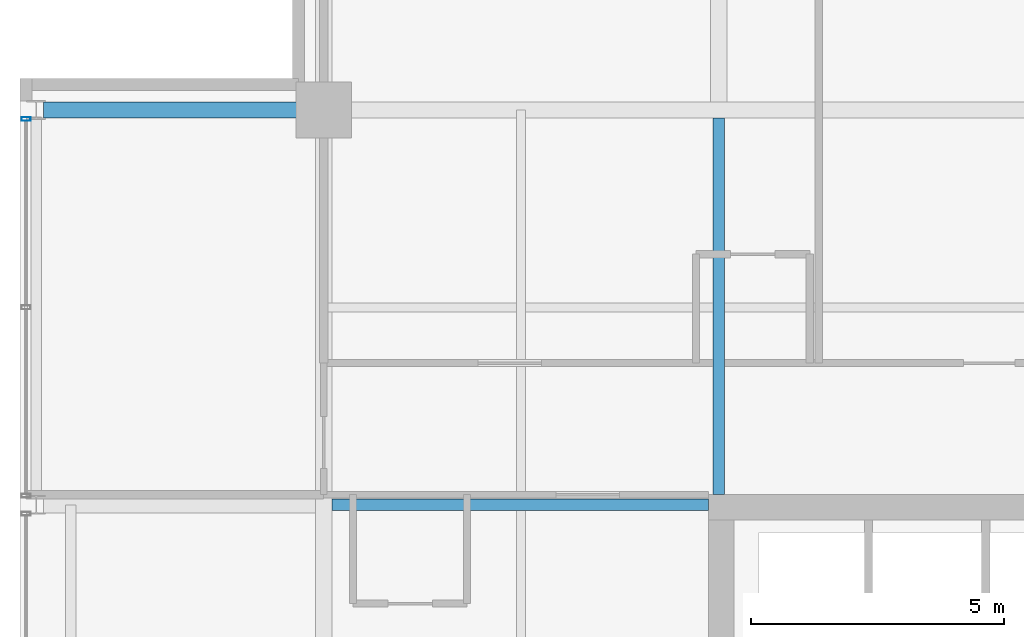
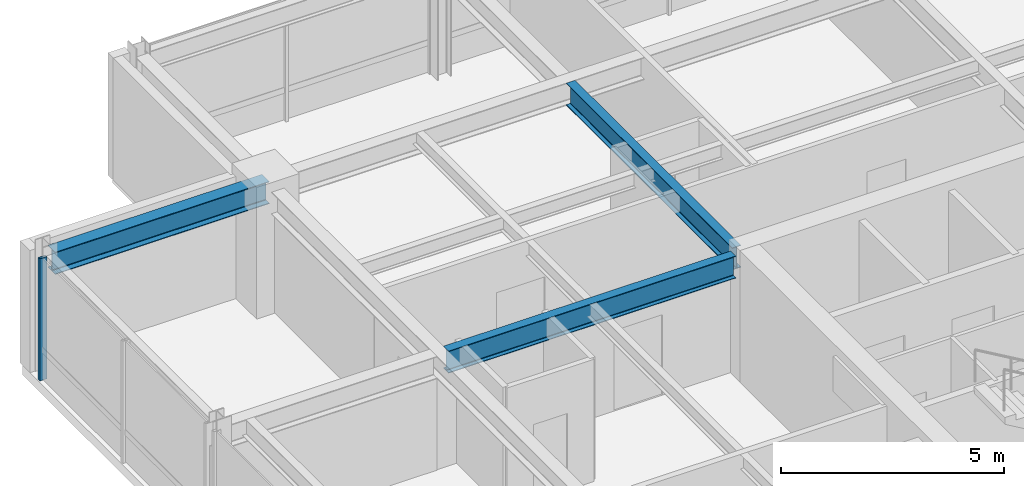
# One storey, part 19 of 33: 3 beams, 1 member, 1 element without a shape of its own.
"""IFC4 building model written with IfcOpenShell, lengths in metres."""

import ifcopenshell
import ifcopenshell.guid

model = None  # the IFC model being written
_history = None  # IfcOwnerHistory: only IFC2X3 demands one
_inside = {}  # id of a spatial element -> (the spatial element, [elements in it])
_under = {}  # id of a project, library or spatial element -> (it, [spatial elements below it])
_declared = {}  # id of a project -> (the project, [libraries it declares])
_typed = {}  # id of a type object -> (the type object, [elements of that type])
_made_of = {}  # id of a material, layer set ... -> (it, [elements and type objects made of it])


def new_model(schema):
    """Start an empty IFC model of exactly this schema.

    Asked for "IFC4X3", IfcOpenShell would pick the latest addendum, in which some entities
    have other attributes; the version numbers below select the first issue.
    IFC2X3 requires an IfcOwnerHistory on every rooted entity: one is made here for all.
    """
    global model, _history
    if schema == "IFC4X3":
        model = ifcopenshell.file(schema_version=(4, 3, 0, 0))
    else:
        model = ifcopenshell.file(schema=schema)
    _inside.clear()
    _under.clear()
    _declared.clear()
    _typed.clear()
    _made_of.clear()
    _history = None
    if model.schema == "IFC2X3":
        org = make("IfcOrganization", Name="unknown")
        user = make(
            "IfcPersonAndOrganization",
            ThePerson=make("IfcPerson", FamilyName="unknown"),
            TheOrganization=org,
        )
        app = make(
            "IfcApplication",
            ApplicationDeveloper=org,
            Version="unknown",
            ApplicationFullName="unknown",
            ApplicationIdentifier="unknown",
        )
        _history = make(
            "IfcOwnerHistory",
            OwningUser=user,
            OwningApplication=app,
            ChangeAction="ADDED",
            CreationDate=0,
        )
    return model


def make(cls, **values):
    """One entity of the class cls with the attributes given. An attribute that is None is left unset."""
    return model.create_entity(
        cls, **{name: value for name, value in values.items() if value is not None}
    )


def rooted(cls, **values):
    """An entity with a GlobalId (a new one), such as an element, a storey or a relation."""
    return make(cls, GlobalId=ifcopenshell.guid.new(), OwnerHistory=_history, **values)


def si_unit(unit_type, name, prefix=None):
    """IfcSIUnit, for example si_unit("LENGTHUNIT", "METRE", prefix="MILLI")."""
    return make("IfcSIUnit", UnitType=unit_type, Prefix=prefix, Name=name)


def assignment(units):
    """IfcUnitAssignment: the units of a project."""
    return None if units is None else make("IfcUnitAssignment", Units=units)


def point(xyz):
    """IfcCartesianPoint."""
    return None if xyz is None else make("IfcCartesianPoint", Coordinates=xyz)


def direction(xyz):
    """IfcDirection."""
    return None if xyz is None else make("IfcDirection", DirectionRatios=xyz)


def frame(location, z_axis=None, x_axis=None):
    """IfcAxis2Placement3D, a coordinate frame: its origin and axes. An axis left out is left unset."""
    return make(
        "IfcAxis2Placement3D",
        Location=point(location),
        Axis=direction(z_axis),
        RefDirection=direction(x_axis),
    )


def frame_2d(location, x_axis=None):
    """IfcAxis2Placement2D, a coordinate frame in the plane: its origin and x axis."""
    return make(
        "IfcAxis2Placement2D", Location=point(location), RefDirection=direction(x_axis)
    )


def origin():
    """The frame at (0, 0, 0) with its axes left unset."""
    return frame((0.0, 0.0, 0.0))


def origin_2d():
    """The frame at (0, 0) in the plane with its x axis left unset."""
    return frame_2d((0.0, 0.0))


def place(relative_to, where):
    """IfcLocalPlacement: puts the frame where relative to a parent placement (None: the world)."""
    return make(
        "IfcLocalPlacement", PlacementRelTo=relative_to, RelativePlacement=where
    )


def context(
    kind, dimensions, precision=None, world=None, true_north=None, identifier=None
):
    """IfcGeometricRepresentationContext, for example the 3D "Model" context."""
    return make(
        "IfcGeometricRepresentationContext",
        ContextIdentifier=identifier,
        ContextType=kind,
        CoordinateSpaceDimension=dimensions,
        Precision=precision,
        WorldCoordinateSystem=world,
        TrueNorth=true_north,
    )


def subcontext(parent, identifier, kind, view, scale=None):
    """IfcGeometricRepresentationSubContext, for example "Body" below "Model"."""
    return make(
        "IfcGeometricRepresentationSubContext",
        ContextIdentifier=identifier,
        ContextType=kind,
        ParentContext=parent,
        TargetScale=scale,
        TargetView=view,
    )


def project(units=None, contexts=None):
    """IfcProject with its units and contexts."""
    return rooted(
        "IfcProject",
        Name="project",
        RepresentationContexts=contexts,
        UnitsInContext=assignment(units),
    )


def spatial(cls, under=None, at=None, **own):
    """A site, building, storey or space (cls), placed at a placement, below another one or the project."""
    s = rooted(cls, ObjectPlacement=at, **own)
    if under is not None:
        _under.setdefault(under.id(), (under, []))[1].append(s)
    return s


def profile(cls, at=None, kind="AREA", **sizes):
    """A parametric profile (cls). Its sizes go by their IFC names, for example OverallWidth=200.0."""
    return make(cls, ProfileType=kind, Position=at, **sizes)


def hollow_rectangle(**sizes):
    """IfcRectangleHollowProfileDef."""
    return profile("IfcRectangleHollowProfileDef", **sizes)


def i_section(**sizes):
    """IfcIShapeProfileDef."""
    return profile("IfcIShapeProfileDef", **sizes)


def extrude(swept, where, along, depth):
    """IfcExtrudedAreaSolid: the profile swept, set in the frame where, extruded along a direction by depth."""
    return make(
        "IfcExtrudedAreaSolid",
        SweptArea=swept,
        Position=where,
        ExtrudedDirection=direction(along),
        Depth=depth,
    )


def shape(context_of_items, identifier, shape_type, items):
    """IfcShapeRepresentation: the items that make up one representation, for example the "Body"."""
    return make(
        "IfcShapeRepresentation",
        ContextOfItems=context_of_items,
        RepresentationIdentifier=identifier,
        RepresentationType=shape_type,
        Items=items,
    )


def material(Name=None, Category=None):
    """IfcMaterial."""
    return make("IfcMaterial", Name=Name, Category=Category)


def layer(
    of_material, thickness, ventilated=None, Name=None, Category=None, Priority=None
):
    """IfcMaterialLayer: one layer of a wall or slab, of a material (None: an air gap)."""
    return make(
        "IfcMaterialLayer",
        Material=of_material,
        LayerThickness=thickness,
        IsVentilated=ventilated,
        Name=Name,
        Category=Category,
        Priority=Priority,
    )


def layer_set(layers, Name=None):
    """IfcMaterialLayerSet."""
    return make("IfcMaterialLayerSet", MaterialLayers=layers, LayerSetName=Name)


def material_profile(
    of_material, cross_section, Name=None, Category=None, Priority=None
):
    """IfcMaterialProfile: a cross section and its material."""
    return make(
        "IfcMaterialProfile",
        Name=Name,
        Material=of_material,
        Profile=cross_section,
        Priority=Priority,
        Category=Category,
    )


def profile_set(profiles, Name=None, composite=None):
    """IfcMaterialProfileSet."""
    return make(
        "IfcMaterialProfileSet",
        Name=Name,
        MaterialProfiles=profiles,
        CompositeProfile=composite,
    )


def made_of(thing, what):
    """Note that an element or type object is made of a material, layer set ...; save() writes the relation."""
    if what is not None:
        _made_of.setdefault(what.id(), (what, []))[1].append(thing)
    return thing


def type_object(cls, material=None, **own):
    """A type object (cls), such as IfcWallType, which elements share."""
    return made_of(rooted(cls, **own), material)


def element(
    cls,
    number,
    at=None,
    inside=None,
    cuts=None,
    type_object=None,
    material=None,
    context=None,
    identifier="Body",
    shape_type=None,
    held_by="IfcProductDefinitionShape",
    body=None,
    shapes=None,
    **own,
):
    """One element of the class cls, such as IfcWall. Its Tag is "e" and its number.

    at: its placement. inside: the storey or other place that contains it. cuts: it is an
    opening in that element (IfcRelVoidsElement). A single representation is given by context,
    identifier, shape_type and body (its items); several are given by shapes. held_by: the class
    of the entity that holds the representations. save() writes the other relations.
    """
    e = rooted(cls, Tag="e%d" % number, ObjectPlacement=at, **own)
    if body is not None:
        shapes = [shape(context, identifier, shape_type, body)]
    if shapes is not None:
        e.Representation = make(held_by, Representations=shapes)
    if inside is not None:
        _inside.setdefault(inside.id(), (inside, []))[1].append(e)
    if cuts is not None:
        rooted(
            "IfcRelVoidsElement", RelatingBuildingElement=cuts, RelatedOpeningElement=e
        )
    if type_object is not None:
        _typed.setdefault(type_object.id(), (type_object, []))[1].append(e)
    return made_of(e, material)


def aggregate(whole, parts):
    """IfcRelAggregates: a whole, such as a stair, and the parts it consists of."""
    return rooted("IfcRelAggregates", RelatingObject=whole, RelatedObjects=parts)


def save(model, path):
    """Write the relations noted so far, then the file.

    IfcRelAggregates (storeys below a building ...), IfcRelContainedInSpatialStructure (elements
    in a storey), IfcRelDefinesByType, IfcRelAssociatesMaterial and IfcRelDeclares: one each for
    every whole, place, type object, material and project.
    """
    for whole, parts in _under.values():
        aggregate(whole, parts)
    for where, things in _inside.values():
        rooted(
            "IfcRelContainedInSpatialStructure",
            RelatedElements=things,
            RelatingStructure=where,
        )
    for kind, things in _typed.values():
        rooted("IfcRelDefinesByType", RelatedObjects=things, RelatingType=kind)
    for what, things in _made_of.values():
        rooted("IfcRelAssociatesMaterial", RelatedObjects=things, RelatingMaterial=what)
    for by, libraries in _declared.values():
        rooted("IfcRelDeclares", RelatingContext=by, RelatedDefinitions=libraries)
    model.write(path)


model = new_model("IFC4")

# Units and contexts
model_context = context("Model", 3, precision=1e-05, world=origin(), true_north=direction((0.0, 1.0)))
body_context = subcontext(model_context, "Body", "Model", "MODEL_VIEW")
ifc_project = project(units=[si_unit("LENGTHUNIT", "METRE"), si_unit("AREAUNIT", "SQUARE_METRE"), si_unit("VOLUMEUNIT", "CUBIC_METRE"), si_unit("PLANEANGLEUNIT", "RADIAN"), si_unit("MASSUNIT", "GRAM", prefix="KILO")], contexts=[model_context])

# Site, building, storey
site_placement = place(None, origin())
site = spatial("IfcSite", under=ifc_project, at=site_placement, CompositionType="ELEMENT")
building_placement = place(site_placement, origin())
building = spatial("IfcBuilding", under=site, at=building_placement, Name="Drelvath Grand Hotel", CompositionType="ELEMENT")
storey_placement = place(building_placement, frame((0.0, 0.0, 248.300048828125)))
storey = spatial("IfcBuildingStorey", under=building, at=storey_placement, Name="L65", CompositionType="ELEMENT", Elevation=248.300048828125)

# Curtain wall, member
ifc_material_1 = material(Name="Platinum-Mist Anodised Aluminium Frame", Category="aluminium")
ifc_layer = layer(ifc_material_1, 0.199951171875)
ifc_layer_set = layer_set([ifc_layer], Name="Platinum-Mist Anodised Aluminium Frame")
curtain_wall_type = type_object("IfcCurtainWallType", Name="Stick Curtain Wall CW-05 Platinum Mist High-Rise", PredefinedType="NOTDEFINED", material=ifc_layer_set)
curtain_wall_placement = place(storey_placement, origin())
curtain_wall = element("IfcCurtainWall", 1, at=curtain_wall_placement, inside=storey, type_object=curtain_wall_type, Name="L65 CW-05 Curtain Wall CW05-L65-WN2", PredefinedType="NOTDEFINED")
ifc_material_profile_1 = material_profile(ifc_material_1, hollow_rectangle(XDim=0.074951171875, YDim=0.179931640625, WallThickness=0.0048828125, at=origin_2d()), Name="HSS180X75X5")
ifc_profile_set_1 = profile_set([ifc_material_profile_1], Name="Platinum-Mist Anodised Aluminium Frame")
member_type = type_object("IfcMemberType", Name="Curtain Wall Vertical Mullion CW-05 HSS180X75X5", PredefinedType="MULLION", material=ifc_profile_set_1)
member_placement = place(storey_placement, frame((-22.080078125, 43.021728515625, 0.0), z_axis=(0.0, 0.0, 1.0), x_axis=(0.0, 1.0, 0.0)))
member = element("IfcMember", 2, at=member_placement, type_object=member_type, Name="CW05-L65-WN2 Mullion 3", PredefinedType="MULLION", context=body_context, shape_type="SweptSolid", body=[
    extrude(hollow_rectangle(XDim=0.074951171875, YDim=0.179931640625, WallThickness=0.0048828125, at=origin_2d()), origin(), (0.0, 0.0, 1.0), 3.33984375),
])
aggregate(curtain_wall, [member])

# Beams
ifc_material_2 = material(Name="Steel ASTM A992 Gr 50", Category="steel")
ifc_material_profile_2 = material_profile(ifc_material_2, i_section(OverallWidth=0.323974609375, OverallDepth=0.611083984375, WebThickness=0.0126953125, FlangeThickness=0.01904296875, FilletRadius=0.02197265625, at=origin_2d()), Name="W24X104")
ifc_profile_set_2 = profile_set([ifc_material_profile_2], Name="Steel ASTM A992 Gr 50")
beam_type_1 = type_object("IfcBeamType", Name="Primary Floor Girder W24X104", PredefinedType="BEAM", material=ifc_profile_set_2)
beam_placement = place(storey_placement, frame((-21.739990234375, 43.199951171875, 3.034423828125), z_axis=(1.0, 0.0, 0.0), x_axis=(0.0, 1.0, 0.0)))
element("IfcBeam", 3, at=beam_placement, inside=storey, type_object=beam_type_1, Name="L65 West Grid Girder G", PredefinedType="BEAM", context=body_context, shape_type="SweptSolid", body=[
    extrude(i_section(OverallWidth=0.323974609375, OverallDepth=0.611083984375, WebThickness=0.0126953125, FlangeThickness=0.01904296875, FilletRadius=0.02197265625, at=origin_2d()), origin(), (0.0, 0.0, 1.0), 5.5400390625),
])
ifc_material_profile_3 = material_profile(ifc_material_2, i_section(OverallWidth=0.228271484375, OverallDepth=0.607666015625, WebThickness=0.01123046875, FlangeThickness=0.017333984375, FilletRadius=0.02001953125, at=origin_2d()), Name="W24X76")
ifc_profile_set_3 = profile_set([ifc_material_profile_3], Name="Steel ASTM A992 Gr 50")
beam_type_2 = type_object("IfcBeamType", Name="Primary Floor Girder W24X76", PredefinedType="BEAM", material=ifc_profile_set_3)
for number, where, z_axis, x_axis, name in (
    (4, (-16.0380859375, 35.39990234375, 3.0361328125), (1.0, 0.0, 0.0), (0.0, 1.0, 0.0), "L65 West Core Tie F"),
    (5, (-8.39990234375, 35.60009765625, 3.0361328125), (0.0, 1.0, 0.0), (-1.0, 0.0, 0.0), "L65 North Core Tie 4"),
):
    element("IfcBeam", number, at=place(storey_placement, frame(where, z_axis=z_axis, x_axis=x_axis)), inside=storey, type_object=beam_type_2, Name=name, PredefinedType="BEAM", context=body_context, shape_type="SweptSolid", body=[
        extrude(i_section(OverallWidth=0.228271484375, OverallDepth=0.607666015625, WebThickness=0.01123046875, FlangeThickness=0.017333984375, FilletRadius=0.02001953125, at=origin_2d()), origin(), (0.0, 0.0, 1.0), 7.43798828125),
    ])

save(model, "model.ifc")
